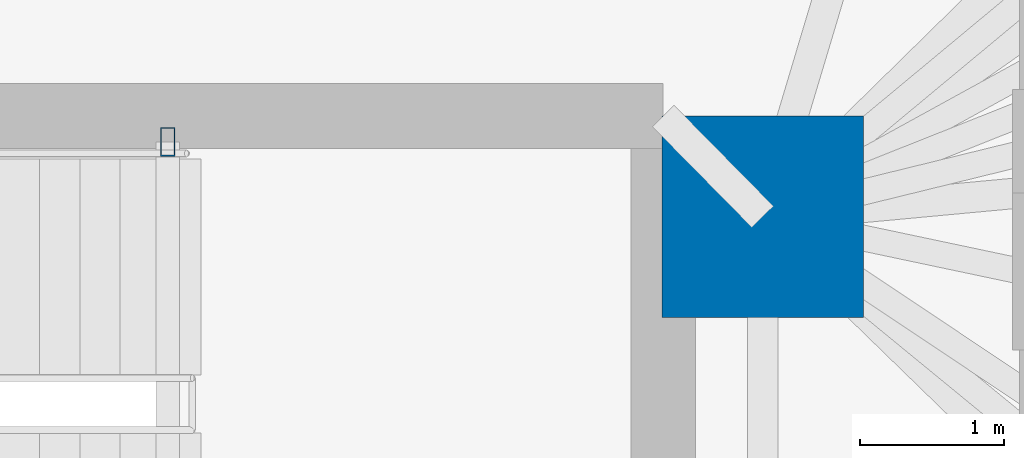
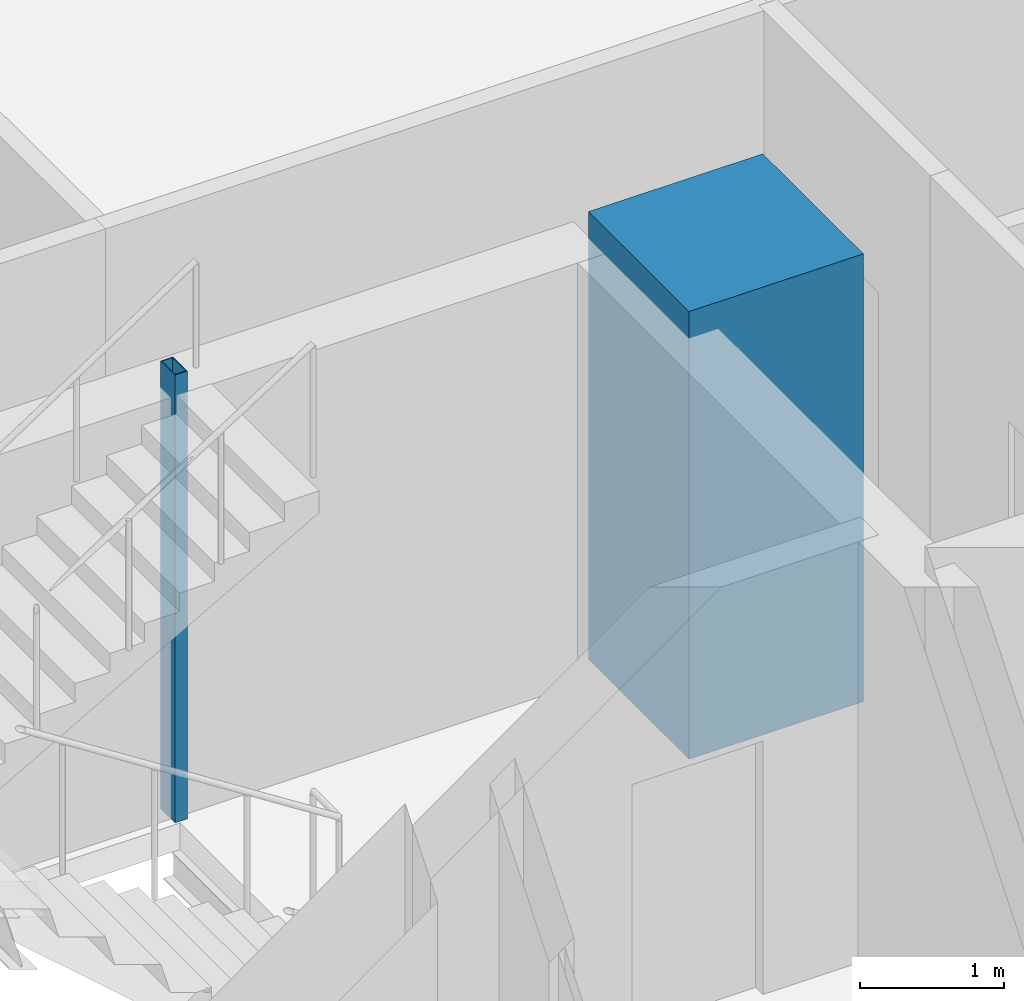
# One storey, part 4 of 17: 2 columns.
"""IFC4 building model written with IfcOpenShell, lengths in metres."""

from ifc_helpers import new_model, si_unit, direction, frame, origin, origin_2d, place, context, subcontext, project, spatial, rectangle, hollow_rectangle, extrude, material, material_profile, profile_set, type_object, element, save


model = new_model("IFC4")

# Units and contexts
model_context = context("Model", 3, precision=1e-05, world=origin(), true_north=direction((0.0, 1.0)))
body_context = subcontext(model_context, "Body", "Model", "MODEL_VIEW")
ifc_project = project(units=[si_unit("LENGTHUNIT", "METRE"), si_unit("AREAUNIT", "SQUARE_METRE"), si_unit("VOLUMEUNIT", "CUBIC_METRE"), si_unit("PLANEANGLEUNIT", "RADIAN"), si_unit("MASSUNIT", "GRAM", prefix="KILO")], contexts=[model_context])

# Site, building, storey
site_placement = place(None, origin())
site = spatial("IfcSite", under=ifc_project, at=site_placement, CompositionType="ELEMENT")
building_placement = place(site_placement, origin())
building = spatial("IfcBuilding", under=site, at=building_placement, Name="Menara Jurai Vektor", CompositionType="ELEMENT")
storey_placement = place(building_placement, frame((0.0, 0.0, 18.0)))
storey = spatial("IfcBuildingStorey", under=building, at=storey_placement, Name="L03", CompositionType="ELEMENT", Elevation=18.0)

# Columns
ifc_material_1 = material(Name="Concrete C60/75", Category="concrete")
ifc_material_profile_1 = material_profile(ifc_material_1, rectangle(XDim=1.39990234375, YDim=1.39990234375, at=origin_2d()), Name="RC 1400x1400")
ifc_profile_set_1 = profile_set([ifc_material_profile_1], Name="Concrete C60/75")
column_type_1 = type_object("IfcColumnType", Name="STR-COL-RC1400", PredefinedType="COLUMN", material=ifc_profile_set_1)
column_1_placement = place(storey_placement, frame((15.25, 4.89990234375, 0.0), z_axis=(0.0, 0.0, 1.0), x_axis=(1.0, 0.0, 0.0)))
element("IfcColumn", 1, at=column_1_placement, inside=storey, type_object=column_type_1, Name="Core Spine Column CE-NE L03", PredefinedType="COLUMN", context=body_context, shape_type="SweptSolid", body=[
    extrude(rectangle(XDim=1.39990234375, YDim=1.39990234375, at=origin_2d()), origin(), (0.0, 0.0, 1.0), 3.800048828125),
])
ifc_material_2 = material(Name="Steel S355", Category="steel")
ifc_material_profile_2 = material_profile(ifc_material_2, hollow_rectangle(XDim=0.10009765625, YDim=0.199951171875, WallThickness=0.008056640625, at=origin_2d()), Name="RHS 200x100x8")
ifc_profile_set_2 = profile_set([ifc_material_profile_2], Name="Steel S355")
column_type_2 = type_object("IfcColumnType", Name="STR-COL-STAIR", PredefinedType="COLUMN", material=ifc_profile_set_2)
column_2_placement = place(storey_placement, frame((11.1201171875, 5.419921875, 0.0), z_axis=(0.0, 0.0, 1.0), x_axis=(1.0, 0.0, 0.0)))
element("IfcColumn", 2, at=column_2_placement, inside=storey, type_object=column_type_2, Name="Stair Well Header Column ST2-P2 L03", PredefinedType="COLUMN", context=body_context, shape_type="SweptSolid", body=[
    extrude(hollow_rectangle(XDim=0.10009765625, YDim=0.199951171875, WallThickness=0.008056640625, at=origin_2d()), origin(), (0.0, 0.0, 1.0), 3.800048828125),
])

save(model, "model.ifc")
